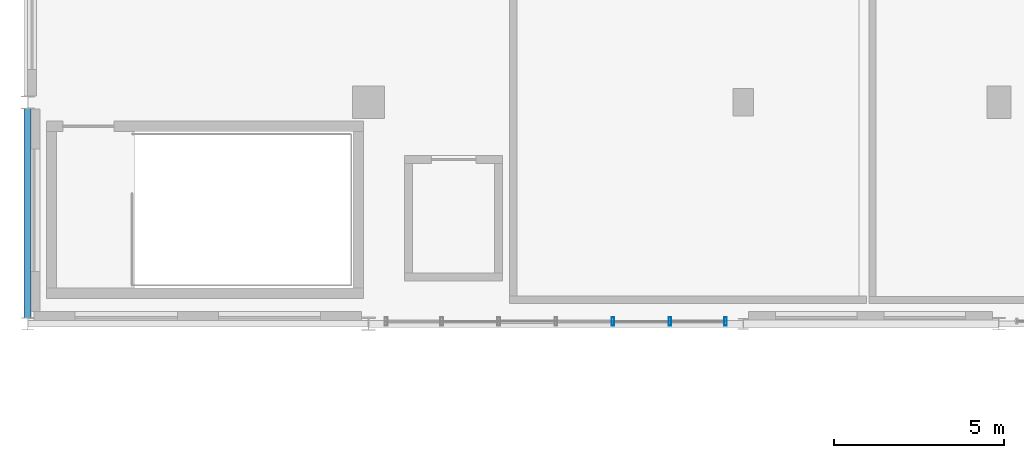
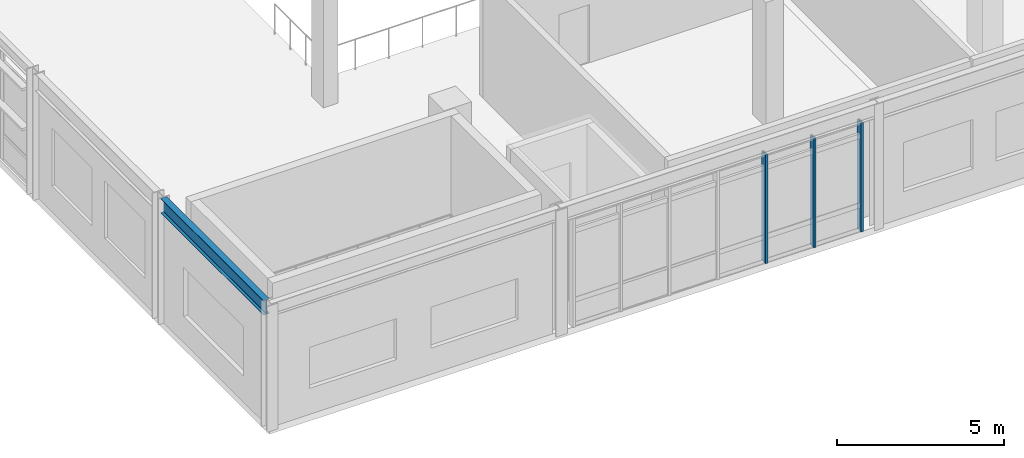
# One storey, part 18 of 200: 3 members, 1 beam, 1 element without a shape of its own.
"""IFC4 building model written with IfcOpenShell, lengths in metres."""

from ifc_helpers import new_model, si_unit, direction, frame, origin, origin_2d, place, context, subcontext, project, spatial, hollow_rectangle, i_section, extrude, material, material_profile, profile_set, type_object, element, aggregate, save


model = new_model("IFC4")

# Units and contexts
model_context = context("Model", 3, precision=1e-05, world=origin(), true_north=direction((0.0, 1.0)))
body_context = subcontext(model_context, "Body", "Model", "MODEL_VIEW")
ifc_project = project(units=[si_unit("LENGTHUNIT", "METRE"), si_unit("AREAUNIT", "SQUARE_METRE"), si_unit("VOLUMEUNIT", "CUBIC_METRE"), si_unit("PLANEANGLEUNIT", "RADIAN"), si_unit("MASSUNIT", "GRAM", prefix="KILO"), si_unit("THERMODYNAMICTEMPERATUREUNIT", "KELVIN"), si_unit("POWERUNIT", "WATT")], contexts=[model_context])

# Site, building, storey
site_placement = place(None, origin())
site = spatial("IfcSite", under=ifc_project, at=site_placement, CompositionType="ELEMENT")
building_placement = place(site_placement, origin())
building = spatial("IfcBuilding", under=site, at=building_placement, Name="Tepalcoro Natatorium and Aquatics Centre", CompositionType="ELEMENT")
storey_placement = place(building_placement, frame((0.0, 0.0, 5.39990234375)))
storey = spatial("IfcBuildingStorey", under=building, at=storey_placement, Name="L01", CompositionType="ELEMENT", Elevation=5.39990234375)

# Curtain wall, members
ifc_material_1 = material(Name="Bronze-Anodised Extruded Aluminium Alloy EN AW-6063 T6", Category="aluminium")
curtain_wall_type = type_object("IfcCurtainWallType", Name="CW_V3_FOYER", PredefinedType="USERDEFINED", material=ifc_material_1)
curtain_wall_placement = place(storey_placement, origin())
curtain_wall = element("IfcCurtainWall", 1, at=curtain_wall_placement, inside=storey, type_object=curtain_wall_type, Name="V3 L01 S Unitised Curtain Wall Bay 2", ObjectType="UNITISED STOREFRONT", PredefinedType="USERDEFINED")
ifc_material_profile_1 = material_profile(ifc_material_1, hollow_rectangle(XDim=0.080078125, YDim=0.239990234375, WallThickness=0.0048828125, at=origin_2d()), Name="AL80X240X5")
ifc_profile_set_1 = profile_set([ifc_material_profile_1], Name="Bronze-Anodised Extruded Aluminium Alloy EN AW-6063 T6")
member_type = type_object("IfcMemberType", Name="CW_MUL_80x240", PredefinedType="MULLION", material=ifc_profile_set_1)
member_1_placement = place(storey_placement, frame((17.17333984375, 6.5712890625, 0.02001953125), z_axis=(0.0, 0.0, 1.0), x_axis=(1.0, 0.0, 0.0)))
member_1 = element("IfcMember", 2, at=member_1_placement, type_object=member_type, Name="CW_V3_FOYER Curtain Wall Mullion", PredefinedType="MULLION", context=body_context, shape_type="SweptSolid", body=[
    extrude(hollow_rectangle(XDim=0.080078125, YDim=0.239990234375, WallThickness=0.0048828125, at=origin_2d()), origin(), (0.0, 0.0, 1.0), 3.994140625),
])
member_2_placement = place(storey_placement, frame((18.8466796875, 6.5712890625, 0.02001953125), z_axis=(0.0, 0.0, 1.0), x_axis=(1.0, 0.0, 0.0)))
member_2 = element("IfcMember", 3, at=member_2_placement, type_object=member_type, Name="CW_V3_FOYER Curtain Wall Mullion", PredefinedType="MULLION", context=body_context, shape_type="SweptSolid", body=[
    extrude(hollow_rectangle(XDim=0.080078125, YDim=0.239990234375, WallThickness=0.0048828125, at=origin_2d()), origin(), (0.0, 0.0, 1.0), 3.994140625),
])
member_3_placement = place(storey_placement, frame((20.47998046875, 6.5712890625, 0.02001953125), z_axis=(0.0, 0.0, 1.0), x_axis=(1.0, 0.0, 0.0)))
member_3 = element("IfcMember", 4, at=member_3_placement, type_object=member_type, Name="CW_V3_FOYER Curtain Wall Mullion", PredefinedType="MULLION", context=body_context, shape_type="SweptSolid", body=[
    extrude(hollow_rectangle(XDim=0.080078125, YDim=0.239990234375, WallThickness=0.0048828125, at=origin_2d()), origin(), (0.0, 0.0, 1.0), 3.994140625),
])
aggregate(curtain_wall, [member_1, member_2, member_3])

# Beam
ifc_material_2 = material(Name="Steel ASTM A992 Grade 50 (Fy 345 MPa)", Category="steel")
ifc_material_profile_2 = material_profile(ifc_material_2, i_section(OverallWidth=0.2099609375, OverallDepth=0.535888671875, WebThickness=0.010986328125, FlangeThickness=0.01708984375, FilletRadius=0.013916015625, at=origin_2d()), Name="W21X68")
ifc_profile_set_2 = profile_set([ifc_material_profile_2], Name="Steel ASTM A992 Grade 50 (Fy 345 MPa)")
beam_type = type_object("IfcBeamType", Name="SP_W21x68", PredefinedType="SPANDREL", material=ifc_profile_set_2)
beam_placement = place(storey_placement, frame((0.0, 6.6630859375, 4.317138671875), z_axis=(0.0, 1.0, 0.0), x_axis=(-1.0, 0.0, 0.0)))
element("IfcBeam", 5, at=beam_placement, inside=storey, type_object=beam_type, Name="V3 L01 Grid Girder Y", PredefinedType="SPANDREL", context=body_context, shape_type="SweptSolid", body=[
    extrude(i_section(OverallWidth=0.2099609375, OverallDepth=0.535888671875, WebThickness=0.010986328125, FlangeThickness=0.01708984375, FilletRadius=0.013916015625, at=origin_2d()), origin(), (0.0, 0.0, 1.0), 6.169921875),
])

save(model, "model.ifc")
